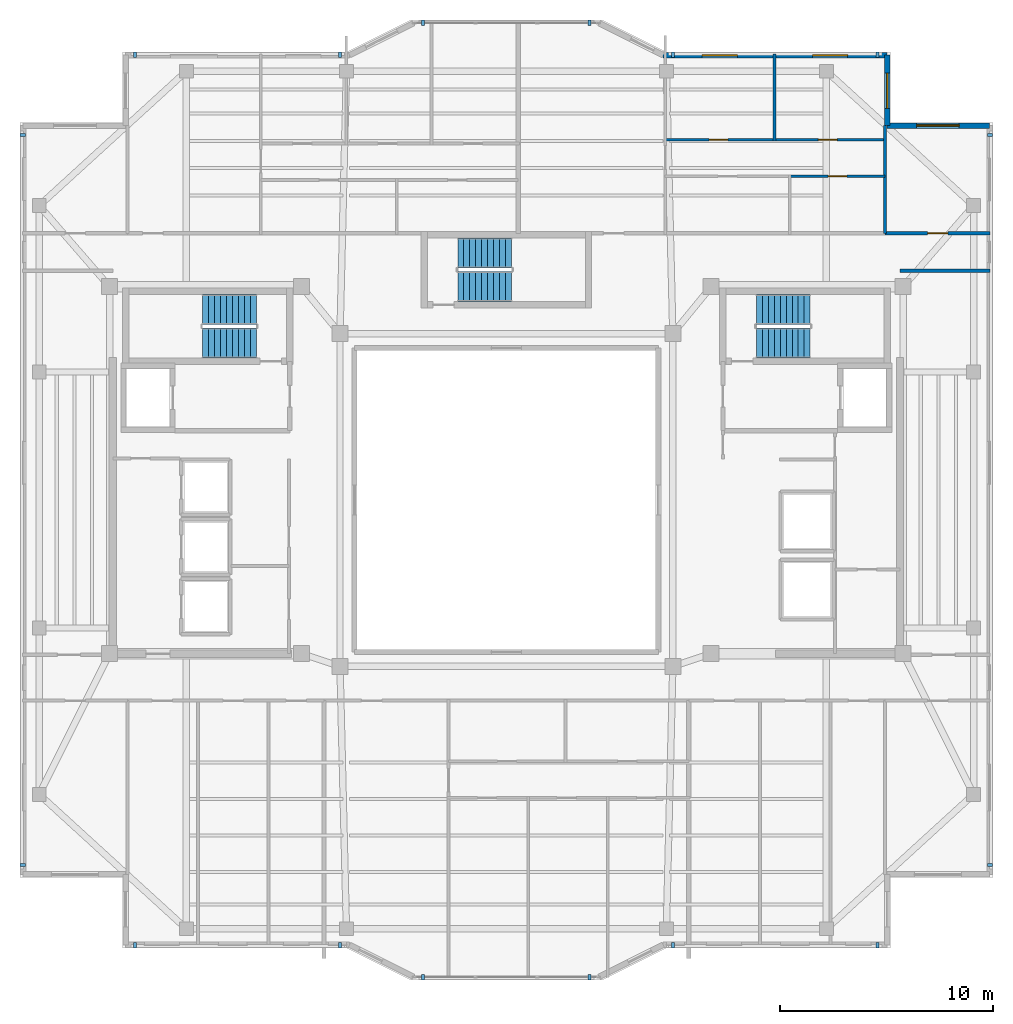
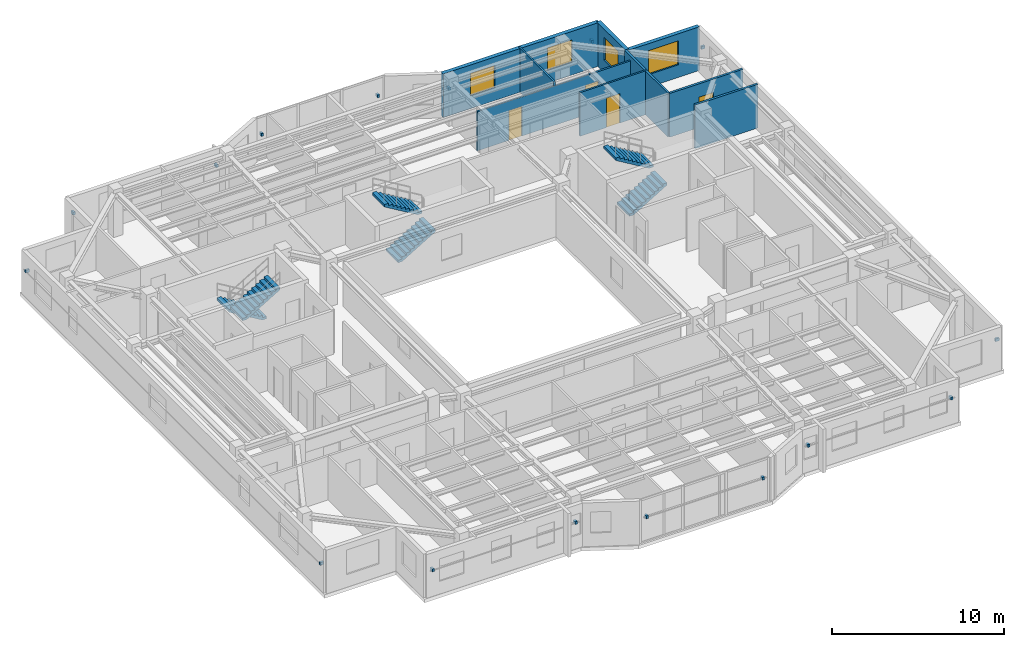
# One storey, part 10 of 13: 16 discrete accessories, 9 walls, 6 stair flights, 4 doors, 4 windows, 8 openings, 3 elements without a shape of their own.
"""IFC4 building model written with IfcOpenShell, lengths in metres."""

from ifc_helpers import new_model, si_unit, direction, frame, frame_2d, origin, origin_2d, place, context, subcontext, project, spatial, polyline, rectangle, outline, extrude, material, layer, layer_set, type_object, element, fill, aggregate, save


model = new_model("IFC4")

# Units and contexts
model_context = context("Model", 3, precision=1e-05, world=origin(), true_north=direction((0.0, 1.0)))
body_context = subcontext(model_context, "Body", "Model", "MODEL_VIEW")
ifc_project = project(units=[si_unit("LENGTHUNIT", "METRE"), si_unit("AREAUNIT", "SQUARE_METRE"), si_unit("VOLUMEUNIT", "CUBIC_METRE"), si_unit("PLANEANGLEUNIT", "RADIAN"), si_unit("MASSUNIT", "GRAM", prefix="KILO")], contexts=[model_context])

# Site, building, storey
site_placement = place(None, origin())
site = spatial("IfcSite", under=ifc_project, at=site_placement, CompositionType="ELEMENT")
building_placement = place(site_placement, origin())
building = spatial("IfcBuilding", under=site, at=building_placement, Name="Tarnavaz Court Tower", CompositionType="ELEMENT")
storey_placement = place(building_placement, frame((0.0, 0.0, 251.550048828125)))
storey = spatial("IfcBuildingStorey", under=building, at=storey_placement, Name="L68", CompositionType="ELEMENT", Elevation=251.550048828125)

# Wall, openings, windows
ifc_material_1 = material(Name="Precast Concrete C40/50", Category="concrete")
ifc_layer_1 = layer(ifc_material_1, 0.260009765625)
ifc_layer_set_1 = layer_set([ifc_layer_1], Name="Precast Concrete C40/50")
wall_type_1 = type_object("IfcWallType", Name="WL-EXT-260", PredefinedType="SOLIDWALL", material=ifc_layer_set_1)
wall_1_placement = place(storey_placement, frame((7.35009765625, 20.85009765625, 0.0), z_axis=(0.0, 0.0, 1.0), x_axis=(1.0, 0.0, 0.0)))
wall_1 = element("IfcWall", 1, at=wall_1_placement, inside=storey, type_object=wall_type_1, Name="L68 Exterior Terracotta Facade Wall 09", PredefinedType="SOLIDWALL", context=body_context, shape_type="SweptSolid", body=[
    extrude(rectangle(XDim=10.5, YDim=0.260009765625, at=frame_2d((5.25, 0.0))), origin(), (0.0, 0.0, 1.0), 3.099853515625),
])
opening_1_placement = place(wall_1_placement, frame((1.824951171875, 0.0, 0.89990234375)))
opening_1 = element("IfcOpeningElement", 2, at=opening_1_placement, cuts=wall_1, Name="Opening W02", PredefinedType="OPENING", context=body_context, shape_type="SweptSolid", body=[
    extrude(rectangle(XDim=1.64990234375, YDim=1.60009765625, at=frame_2d((0.824951171875, 0.800048828125))), frame((0.0, 0.139892578125, 0.0), z_axis=(0.0, -1.0, 0.0), x_axis=(1.0, 0.0, 0.0)), (0.0, 0.0, 1.0), 0.280029296875),
])
opening_2_placement = place(wall_1_placement, frame((7.0, 0.0, 0.89990234375)))
opening_2 = element("IfcOpeningElement", 3, at=opening_2_placement, cuts=wall_1, Name="Opening W02", PredefinedType="OPENING", context=body_context, shape_type="SweptSolid", body=[
    extrude(rectangle(XDim=1.64990234375, YDim=1.60009765625, at=frame_2d((0.824951171875, 0.800048828125))), frame((0.0, 0.139892578125, 0.0), z_axis=(0.0, -1.0, 0.0), x_axis=(1.0, 0.0, 0.0)), (0.0, 0.0, 1.0), 0.280029296875),
])
ifc_material_2 = material(Name="Double-Glazed Solar Low-E Glass", Category="glass")
window_type_1 = type_object("IfcWindowType", Name="WN-APT-1650", PartitioningType="DOUBLE_PANEL_VERTICAL", PredefinedType="WINDOW", material=ifc_material_2)
window_1_placement = place(opening_1_placement, origin())
window_1 = element("IfcWindow", 4, at=window_1_placement, inside=storey, type_object=window_type_1, Name="L68 Flat 02 Principal Bedroom Window", OverallHeight=1.60009765625, OverallWidth=1.64990234375, PartitioningType="SINGLE_PANEL", PredefinedType="WINDOW", context=body_context, shape_type="SweptSolid", body=[
    extrude(rectangle(XDim=1.64990234375, YDim=1.60009765625, at=frame_2d((0.824951171875, 0.800048828125))), frame((0.0, 0.030029296875, 0.0), z_axis=(0.0, -1.0, 0.0), x_axis=(1.0, 0.0, 0.0)), (0.0, 0.0, 1.0), 0.06005859375),
])
fill(opening_1, window_1)
window_2_placement = place(opening_2_placement, origin())
window_2 = element("IfcWindow", 5, at=window_2_placement, inside=storey, type_object=window_type_1, Name="L68 Flat 02 Bedroom 2 Window", OverallHeight=1.60009765625, OverallWidth=1.64990234375, PartitioningType="SINGLE_PANEL", PredefinedType="WINDOW", context=body_context, shape_type="SweptSolid", body=[
    extrude(rectangle(XDim=1.64990234375, YDim=1.60009765625, at=frame_2d((0.824951171875, 0.800048828125))), frame((0.0, 0.030029296875, 0.0), z_axis=(0.0, -1.0, 0.0), x_axis=(1.0, 0.0, 0.0)), (0.0, 0.0, 1.0), 0.06005859375),
])
fill(opening_2, window_2)

# Wall, opening, window
wall_2_placement = place(storey_placement, frame((17.85009765625, 20.85009765625, 0.0), z_axis=(0.0, 0.0, 1.0), x_axis=(0.0, -1.0, 0.0)))
wall_2 = element("IfcWall", 6, at=wall_2_placement, inside=storey, type_object=wall_type_1, Name="L68 Exterior Terracotta Facade Wall 10", PredefinedType="SOLIDWALL", context=body_context, shape_type="SweptSolid", body=[
    extrude(rectangle(XDim=3.300048828125, YDim=0.260009765625, at=frame_2d((1.64990234375, 0.0))), origin(), (0.0, 0.0, 1.0), 3.099853515625),
])
opening_3_placement = place(wall_2_placement, frame((0.842529296875, 0.0, 0.89990234375)))
opening_3 = element("IfcOpeningElement", 7, at=opening_3_placement, cuts=wall_2, Name="Opening W02", PredefinedType="OPENING", context=body_context, shape_type="SweptSolid", body=[
    extrude(rectangle(XDim=1.64990234375, YDim=1.60009765625, at=frame_2d((0.824951171875, 0.800048828125))), frame((0.0, 0.139892578125, 0.0), z_axis=(0.0, -1.0, 0.0), x_axis=(1.0, 0.0, 0.0)), (0.0, 0.0, 1.0), 0.280029296875),
])
window_3_placement = place(opening_3_placement, origin())
window_3 = element("IfcWindow", 8, at=window_3_placement, inside=storey, type_object=window_type_1, Name="L68 Flat 02 Bedroom 2 Window", OverallHeight=1.60009765625, OverallWidth=1.64990234375, PartitioningType="SINGLE_PANEL", PredefinedType="WINDOW", context=body_context, shape_type="SweptSolid", body=[
    extrude(rectangle(XDim=1.64990234375, YDim=1.60009765625, at=frame_2d((0.824951171875, 0.800048828125))), frame((0.0, 0.030029296875, 0.0), z_axis=(0.0, -1.0, 0.0), x_axis=(1.0, 0.0, 0.0)), (0.0, 0.0, 1.0), 0.06005859375),
])
fill(opening_3, window_3)

wall_3_placement = place(storey_placement, frame((17.85009765625, 17.550048828125, 0.0), z_axis=(0.0, 0.0, 1.0), x_axis=(1.0, 0.0, 0.0)))
wall_3 = element("IfcWall", 9, at=wall_3_placement, inside=storey, type_object=wall_type_1, Name="L68 Exterior Terracotta Facade Wall 11", PredefinedType="SOLIDWALL", context=body_context, shape_type="SweptSolid", body=[
    extrude(rectangle(XDim=4.7998046875, YDim=0.260009765625, at=frame_2d((2.39990234375, 0.0))), origin(), (0.0, 0.0, 1.0), 3.099853515625),
])
opening_4_placement = place(wall_3_placement, frame((1.374755859375, 0.0, 0.89990234375)))
opening_4 = element("IfcOpeningElement", 10, at=opening_4_placement, cuts=wall_3, Name="Opening W08", PredefinedType="OPENING", context=body_context, shape_type="SweptSolid", body=[
    extrude(rectangle(XDim=2.0, YDim=1.699951171875, at=frame_2d((1.0, 0.85009765625))), frame((0.0, 0.139892578125, 0.0), z_axis=(0.0, -1.0, 0.0), x_axis=(1.0, 0.0, 0.0)), (0.0, 0.0, 1.0), 0.280029296875),
])
window_type_2 = type_object("IfcWindowType", Name="WN-APT-2000", PartitioningType="DOUBLE_PANEL_VERTICAL", PredefinedType="WINDOW", material=ifc_material_2)
window_4_placement = place(opening_4_placement, origin())
window_4 = element("IfcWindow", 11, at=window_4_placement, inside=storey, type_object=window_type_2, Name="L68 North-East Corner Sunroom Study Window", OverallHeight=1.699951171875, OverallWidth=2.0, PartitioningType="SINGLE_PANEL", PredefinedType="WINDOW", context=body_context, shape_type="SweptSolid", body=[
    extrude(rectangle(XDim=2.0, YDim=1.699951171875, at=frame_2d((1.0, 0.85009765625))), frame((0.0, 0.030029296875, 0.0), z_axis=(0.0, -1.0, 0.0), x_axis=(1.0, 0.0, 0.0)), (0.0, 0.0, 1.0), 0.06005859375),
])
fill(opening_4, window_4)

# Wall
ifc_material_3 = material(Name="Gypsum Fire-Board on Acoustic Metal Stud", Category="masonry")
ifc_layer_2 = layer(ifc_material_3, 0.14990234375)
ifc_layer_set_2 = layer_set([ifc_layer_2], Name="Gypsum Fire-Board on Acoustic Metal Stud")
wall_type_2 = type_object("IfcWallType", Name="WL-FIRE-150", PredefinedType="PARTITIONING", material=ifc_layer_set_2)
wall_4_placement = place(storey_placement, frame((18.449951171875, 10.75, 0.0), z_axis=(0.0, 0.0, 1.0), x_axis=(1.0, 0.0, 0.0)))
element("IfcWall", 12, at=wall_4_placement, inside=storey, type_object=wall_type_2, Name="L68 Interior Partition 091", PredefinedType="PARTITIONING", context=body_context, shape_type="SweptSolid", body=[
    extrude(rectangle(XDim=4.22998046875, YDim=0.14990234375, at=frame_2d((2.114990234375, 0.0))), origin(), (0.0, 0.0, 1.0), 3.099853515625),
])

# Wall, opening, door
wall_5_placement = place(storey_placement, frame((17.75, 12.5, 0.0), z_axis=(0.0, 0.0, 1.0), x_axis=(1.0, 0.0, 0.0)))
wall_5 = element("IfcWall", 13, at=wall_5_placement, inside=storey, type_object=wall_type_2, Name="L68 Interior Partition 097", PredefinedType="PARTITIONING", context=body_context, shape_type="SweptSolid", body=[
    extrude(rectangle(XDim=4.929931640625, YDim=0.14990234375, at=frame_2d((2.46484375, 0.0))), origin(), (0.0, 0.0, 1.0), 3.099853515625),
])
opening_5_placement = place(wall_5_placement, frame((1.989990234375, 0.0, 0.0)))
opening_5 = element("IfcOpeningElement", 14, at=opening_5_placement, cuts=wall_5, Name="Opening D13", PredefinedType="OPENING", context=body_context, shape_type="SweptSolid", body=[
    extrude(rectangle(XDim=0.949951171875, YDim=2.14990234375, at=frame_2d((0.47509765625, 1.074951171875))), frame((0.0, 0.0849609375, 0.0), z_axis=(0.0, -1.0, 0.0), x_axis=(1.0, 0.0, 0.0)), (0.0, 0.0, 1.0), 0.169921875),
])
ifc_material_4 = material(Name="Engineered Oak Timber", Category="wood")
door_type_1 = type_object("IfcDoorType", Name="DR-INT-950", OperationType="NOTDEFINED", PredefinedType="DOOR", material=ifc_material_4)
door_1_placement = place(opening_5_placement, origin())
door_1 = element("IfcDoor", 15, at=door_1_placement, inside=storey, type_object=door_type_1, Name="L68 NE Sunroom Door", OperationType="SINGLE_SWING_LEFT", OverallHeight=2.14990234375, OverallWidth=0.949951171875, PredefinedType="DOOR", context=body_context, shape_type="SweptSolid", body=[
    extrude(rectangle(XDim=0.949951171875, YDim=2.14990234375, at=frame_2d((0.47509765625, 1.074951171875))), frame((0.0, 0.02490234375, 0.0), z_axis=(0.0, -1.0, 0.0), x_axis=(1.0, 0.0, 0.0)), (0.0, 0.0, 1.0), 0.050048828125),
])
fill(opening_5, door_1)

ifc_material_5 = material(Name="Moisture-Resistant Gypsum Board Partition", Category="masonry")
ifc_layer_3 = layer(ifc_material_5, 0.1201171875)
ifc_layer_set_3 = layer_set([ifc_layer_3], Name="Moisture-Resistant Gypsum Board Partition")
wall_type_3 = type_object("IfcWallType", Name="WL-PART-120", PredefinedType="PARTITIONING", material=ifc_layer_set_3)
wall_6_placement = place(storey_placement, frame((13.282958984375, 15.169921875, 0.0), z_axis=(0.0, 0.0, 1.0), x_axis=(1.0, 0.0, 0.0)))
wall_6 = element("IfcWall", 16, at=wall_6_placement, inside=storey, type_object=wall_type_3, Name="L68 Interior Partition 070", PredefinedType="PARTITIONING", context=body_context, shape_type="SweptSolid", body=[
    extrude(rectangle(XDim=4.467041015625, YDim=0.1201171875, at=frame_2d((2.2333984375, 0.0))), origin(), (0.0, 0.0, 1.0), 3.099853515625),
])
opening_6_placement = place(wall_6_placement, frame((1.7939453125, 0.0, 0.0)))
opening_6 = element("IfcOpeningElement", 17, at=opening_6_placement, cuts=wall_6, Name="Opening D14", PredefinedType="OPENING", context=body_context, shape_type="SweptSolid", body=[
    extrude(rectangle(XDim=0.8798828125, YDim=2.10009765625, at=frame_2d((0.43994140625, 1.050048828125))), frame((0.0, 0.070068359375, 0.0), z_axis=(0.0, -1.0, 0.0), x_axis=(1.0, 0.0, 0.0)), (0.0, 0.0, 1.0), 0.14013671875),
])
door_type_2 = type_object("IfcDoorType", Name="DR-INT-900", OperationType="NOTDEFINED", PredefinedType="DOOR", material=ifc_material_4)
door_2_placement = place(opening_6_placement, origin())
door_2 = element("IfcDoor", 18, at=door_2_placement, inside=storey, type_object=door_type_2, Name="L68 Flat 02 Bathroom Door", OperationType="SINGLE_SWING_RIGHT", OverallHeight=2.10009765625, OverallWidth=0.8798828125, PredefinedType="DOOR", context=body_context, shape_type="SweptSolid", body=[
    extrude(rectangle(XDim=0.8798828125, YDim=2.10009765625, at=frame_2d((0.43994140625, 1.050048828125))), frame((0.0, 0.02490234375, 0.0), z_axis=(0.0, -1.0, 0.0), x_axis=(1.0, 0.0, 0.0)), (0.0, 0.0, 1.0), 0.050048828125),
])
fill(opening_6, door_2)

# Wall, openings, doors
wall_7_placement = place(storey_placement, frame((7.382080078125, 16.8798828125, 0.0), z_axis=(0.0, 0.0, 1.0), x_axis=(1.0, 0.0, 0.0)))
wall_7 = element("IfcWall", 19, at=wall_7_placement, inside=storey, type_object=wall_type_3, Name="L68 Interior Partition 071", PredefinedType="PARTITIONING", context=body_context, shape_type="SweptSolid", body=[
    extrude(rectangle(XDim=10.427978515625, YDim=0.1201171875, at=frame_2d((5.2138671875, 0.0))), origin(), (0.0, 0.0, 1.0), 2.784912109375),
])
opening_7_placement = place(wall_7_placement, frame((2.1220703125, 0.0, 0.0)))
opening_7 = element("IfcOpeningElement", 20, at=opening_7_placement, cuts=wall_7, Name="Opening D14", PredefinedType="OPENING", context=body_context, shape_type="SweptSolid", body=[
    extrude(rectangle(XDim=0.8798828125, YDim=2.10009765625, at=frame_2d((0.43994140625, 1.050048828125))), frame((0.0, 0.070068359375, 0.0), z_axis=(0.0, -1.0, 0.0), x_axis=(1.0, 0.0, 0.0)), (0.0, 0.0, 1.0), 0.14013671875),
])
opening_8_placement = place(wall_7_placement, frame((7.24609375, 0.0, 0.0)))
opening_8 = element("IfcOpeningElement", 21, at=opening_8_placement, cuts=wall_7, Name="Opening D14", PredefinedType="OPENING", context=body_context, shape_type="SweptSolid", body=[
    extrude(rectangle(XDim=0.8798828125, YDim=2.10009765625, at=frame_2d((0.43994140625, 1.050048828125))), frame((0.0, 0.070068359375, 0.0), z_axis=(0.0, -1.0, 0.0), x_axis=(1.0, 0.0, 0.0)), (0.0, 0.0, 1.0), 0.14013671875),
])
door_3_placement = place(opening_7_placement, origin())
door_3 = element("IfcDoor", 22, at=door_3_placement, inside=storey, type_object=door_type_2, Name="L68 Flat 02 Bedroom 1 Door", OperationType="SINGLE_SWING_LEFT", OverallHeight=2.10009765625, OverallWidth=0.8798828125, PredefinedType="DOOR", context=body_context, shape_type="SweptSolid", body=[
    extrude(rectangle(XDim=0.8798828125, YDim=2.10009765625, at=frame_2d((0.43994140625, 1.050048828125))), frame((0.0, 0.02490234375, 0.0), z_axis=(0.0, -1.0, 0.0), x_axis=(1.0, 0.0, 0.0)), (0.0, 0.0, 1.0), 0.050048828125),
])
fill(opening_7, door_3)
door_4_placement = place(opening_8_placement, origin())
door_4 = element("IfcDoor", 23, at=door_4_placement, inside=storey, type_object=door_type_2, Name="L68 Flat 02 Bedroom 2 Door", OperationType="SINGLE_SWING_RIGHT", OverallHeight=2.10009765625, OverallWidth=0.8798828125, PredefinedType="DOOR", context=body_context, shape_type="SweptSolid", body=[
    extrude(rectangle(XDim=0.8798828125, YDim=2.10009765625, at=frame_2d((0.43994140625, 1.050048828125))), frame((0.0, 0.02490234375, 0.0), z_axis=(0.0, -1.0, 0.0), x_axis=(1.0, 0.0, 0.0)), (0.0, 0.0, 1.0), 0.050048828125),
])
fill(opening_8, door_4)

# Walls
wall_8_placement = place(storey_placement, frame((12.56591796875, 16.820068359375, 0.0), z_axis=(0.0, 0.0, 1.0), x_axis=(0.0, 1.0, 0.0)))
element("IfcWall", 24, at=wall_8_placement, inside=storey, type_object=wall_type_3, Name="L68 Interior Partition 073", PredefinedType="PARTITIONING", context=body_context, shape_type="SweptSolid", body=[
    extrude(rectangle(XDim=4.079833984375, YDim=0.1201171875, at=frame_2d((2.0400390625, 0.0))), origin(), (0.0, 0.0, 1.0), 3.099853515625),
])
ifc_material_6 = material(Name="Gypsum Plasterboard Acoustic Partition", Category="masonry")
ifc_layer_4 = layer(ifc_material_6, 0.139892578125)
ifc_layer_set_4 = layer_set([ifc_layer_4], Name="Gypsum Plasterboard Acoustic Partition")
wall_type_4 = type_object("IfcWallType", Name="WL-PART-150", PredefinedType="PARTITIONING", material=ifc_layer_set_4)
wall_9_placement = place(storey_placement, frame((17.75, 12.5, 0.0), z_axis=(0.0, 0.0, 1.0), x_axis=(0.0, 1.0, 0.0)))
element("IfcWall", 25, at=wall_9_placement, inside=storey, type_object=wall_type_4, Name="L68 Interior Partition 095", PredefinedType="PARTITIONING", context=body_context, shape_type="SweptSolid", body=[
    extrude(rectangle(XDim=5.050048828125, YDim=0.139892578125, at=frame_2d((2.52490234375, 0.0))), origin(), (0.0, 0.0, 1.0), 3.099853515625),
])

# Stair, stair flights
ifc_material_7 = material(Name="Concrete C40/50", Category="concrete")
stair_type = type_object("IfcStairType", Name="ST-TWR-20R", PredefinedType="HALF_TURN_STAIR", material=ifc_material_7)
stair_1_placement = place(storey_placement, origin())
stair_1 = element("IfcStair", 26, at=stair_1_placement, inside=storey, type_object=stair_type, Name="L68 West Core Pressurized Exit Stair ST-W1", PredefinedType="HALF_TURN_STAIR")
stair_flight_type = type_object("IfcStairFlightType", Name="SFL-RC-20R", PredefinedType="STRAIGHT", material=ifc_material_7)
stair_flight_1_placement = place(storey_placement, frame((-11.719970703125, 8.929931640625, 0.0), z_axis=(0.0, 0.0, 1.0), x_axis=(-1.0, 0.0, 0.0)))
stair_flight_1 = element("IfcStairFlight", 27, at=stair_flight_1_placement, type_object=stair_flight_type, Name="ST-W1 flight 1", NumberOfRisers=10, NumberOfTreads=9, PredefinedType="STRAIGHT", RiserHeight=0.1675, TreadLength=0.28, context=body_context, shape_type="SweptSolid", body=[
    extrude(outline(polyline([(0.0, 0.0), (0.0, 0.16748046875), (0.280029296875, 0.16748046875), (0.280029296875, 0.3349609375), (0.56005859375, 0.3349609375), (0.56005859375, 0.50244140625), (0.840087890625, 0.50244140625), (0.840087890625, 0.669921875), (1.1201171875, 0.669921875), (1.1201171875, 0.83740234375), (1.39990234375, 0.83740234375), (1.39990234375, 1.0048828125), (1.679931640625, 1.0048828125), (1.679931640625, 1.172607421875), (1.9599609375, 1.172607421875), (1.9599609375, 1.340087890625), (2.239990234375, 1.340087890625), (2.239990234375, 1.507568359375), (2.52001953125, 1.507568359375), (2.52001953125, 1.675048828125), (2.52001953125, 1.332763671875), (0.2919921875, 0.0), (0.0, 0.0)])), frame((0.0, 0.7099609375, 0.0), z_axis=(0.0, -1.0, 0.0), x_axis=(1.0, 0.0, 0.0)), (0.0, 0.0, 1.0), 1.419921875),
])
stair_flight_2_placement = place(storey_placement, frame((-14.239990234375, 7.360107421875, 1.675048828125), z_axis=(0.0, 0.0, 1.0), x_axis=(1.0, 0.0, 0.0)))
stair_flight_2 = element("IfcStairFlight", 28, at=stair_flight_2_placement, type_object=stair_flight_type, Name="ST-W1 flight 2", NumberOfRisers=10, NumberOfTreads=9, PredefinedType="STRAIGHT", RiserHeight=0.1675, TreadLength=0.28, context=body_context, shape_type="SweptSolid", body=[
    extrude(outline(polyline([(0.0, 0.0), (0.0, 0.16748046875), (0.280029296875, 0.16748046875), (0.280029296875, 0.3349609375), (0.56005859375, 0.3349609375), (0.56005859375, 0.50244140625), (0.840087890625, 0.50244140625), (0.840087890625, 0.669921875), (1.1201171875, 0.669921875), (1.1201171875, 0.83740234375), (1.39990234375, 0.83740234375), (1.39990234375, 1.0048828125), (1.679931640625, 1.0048828125), (1.679931640625, 1.172607421875), (1.9599609375, 1.172607421875), (1.9599609375, 1.340087890625), (2.239990234375, 1.340087890625), (2.239990234375, 1.507568359375), (2.52001953125, 1.507568359375), (2.52001953125, 1.675048828125), (2.52001953125, 1.332763671875), (0.2919921875, 0.0), (0.0, 0.0)])), frame((0.0, 0.7099609375, 0.0), z_axis=(0.0, -1.0, 0.0), x_axis=(1.0, 0.0, 0.0)), (0.0, 0.0, 1.0), 1.419921875),
])
aggregate(stair_1, [stair_flight_1, stair_flight_2])

stair_2_placement = place(storey_placement, origin())
stair_2 = element("IfcStair", 29, at=stair_2_placement, inside=storey, type_object=stair_type, Name="L68 East Core Pressurized Exit Stair ST-E1", PredefinedType="HALF_TURN_STAIR")
stair_flight_3_placement = place(storey_placement, frame((11.719970703125, 7.360107421875, 0.0), z_axis=(0.0, 0.0, 1.0), x_axis=(1.0, 0.0, 0.0)))
stair_flight_3 = element("IfcStairFlight", 30, at=stair_flight_3_placement, type_object=stair_flight_type, Name="ST-E1 flight 1", NumberOfRisers=10, NumberOfTreads=9, PredefinedType="STRAIGHT", RiserHeight=0.1675, TreadLength=0.28, context=body_context, shape_type="SweptSolid", body=[
    extrude(outline(polyline([(0.0, 0.0), (0.0, 0.16748046875), (0.280029296875, 0.16748046875), (0.280029296875, 0.3349609375), (0.56005859375, 0.3349609375), (0.56005859375, 0.50244140625), (0.840087890625, 0.50244140625), (0.840087890625, 0.669921875), (1.1201171875, 0.669921875), (1.1201171875, 0.83740234375), (1.39990234375, 0.83740234375), (1.39990234375, 1.0048828125), (1.679931640625, 1.0048828125), (1.679931640625, 1.172607421875), (1.9599609375, 1.172607421875), (1.9599609375, 1.340087890625), (2.239990234375, 1.340087890625), (2.239990234375, 1.507568359375), (2.52001953125, 1.507568359375), (2.52001953125, 1.675048828125), (2.52001953125, 1.332763671875), (0.2919921875, 0.0), (0.0, 0.0)])), frame((0.0, 0.7099609375, 0.0), z_axis=(0.0, -1.0, 0.0), x_axis=(1.0, 0.0, 0.0)), (0.0, 0.0, 1.0), 1.419921875),
])
stair_flight_4_placement = place(storey_placement, frame((14.239990234375, 8.929931640625, 1.675048828125), z_axis=(0.0, 0.0, 1.0), x_axis=(-1.0, 0.0, 0.0)))
stair_flight_4 = element("IfcStairFlight", 31, at=stair_flight_4_placement, type_object=stair_flight_type, Name="ST-E1 flight 2", NumberOfRisers=10, NumberOfTreads=9, PredefinedType="STRAIGHT", RiserHeight=0.1675, TreadLength=0.28, context=body_context, shape_type="SweptSolid", body=[
    extrude(outline(polyline([(0.0, 0.0), (0.0, 0.16748046875), (0.280029296875, 0.16748046875), (0.280029296875, 0.3349609375), (0.56005859375, 0.3349609375), (0.56005859375, 0.50244140625), (0.840087890625, 0.50244140625), (0.840087890625, 0.669921875), (1.1201171875, 0.669921875), (1.1201171875, 0.83740234375), (1.39990234375, 0.83740234375), (1.39990234375, 1.0048828125), (1.679931640625, 1.0048828125), (1.679931640625, 1.172607421875), (1.9599609375, 1.172607421875), (1.9599609375, 1.340087890625), (2.239990234375, 1.340087890625), (2.239990234375, 1.507568359375), (2.52001953125, 1.507568359375), (2.52001953125, 1.675048828125), (2.52001953125, 1.332763671875), (0.2919921875, 0.0), (0.0, 0.0)])), frame((0.0, 0.7099609375, 0.0), z_axis=(0.0, -1.0, 0.0), x_axis=(1.0, 0.0, 0.0)), (0.0, 0.0, 1.0), 1.419921875),
])
aggregate(stair_2, [stair_flight_3, stair_flight_4])

stair_3_placement = place(storey_placement, origin())
stair_3 = element("IfcStair", 32, at=stair_3_placement, inside=storey, type_object=stair_type, Name="L68 North Ring Pressurized Exit Stair ST-N1", PredefinedType="HALF_TURN_STAIR")
stair_flight_5_placement = place(storey_placement, frame((-2.280029296875, 10.010009765625, 0.0), z_axis=(0.0, 0.0, 1.0), x_axis=(1.0, 0.0, 0.0)))
stair_flight_5 = element("IfcStairFlight", 33, at=stair_flight_5_placement, type_object=stair_flight_type, Name="ST-N1 flight 1", NumberOfRisers=10, NumberOfTreads=9, PredefinedType="STRAIGHT", RiserHeight=0.1675, TreadLength=0.28, context=body_context, shape_type="SweptSolid", body=[
    extrude(outline(polyline([(0.0, 0.0), (0.0, 0.16748046875), (0.280029296875, 0.16748046875), (0.280029296875, 0.3349609375), (0.56005859375, 0.3349609375), (0.56005859375, 0.50244140625), (0.840087890625, 0.50244140625), (0.840087890625, 0.669921875), (1.1201171875, 0.669921875), (1.1201171875, 0.83740234375), (1.39990234375, 0.83740234375), (1.39990234375, 1.0048828125), (1.679931640625, 1.0048828125), (1.679931640625, 1.172607421875), (1.9599609375, 1.172607421875), (1.9599609375, 1.340087890625), (2.239990234375, 1.340087890625), (2.239990234375, 1.507568359375), (2.52001953125, 1.507568359375), (2.52001953125, 1.675048828125), (2.52001953125, 1.332763671875), (0.2919921875, 0.0), (0.0, 0.0)])), frame((0.0, 0.7099609375, 0.0), z_axis=(0.0, -1.0, 0.0), x_axis=(1.0, 0.0, 0.0)), (0.0, 0.0, 1.0), 1.419921875),
])
stair_flight_6_placement = place(storey_placement, frame((0.239990234375, 11.580078125, 1.675048828125), z_axis=(0.0, 0.0, 1.0), x_axis=(-1.0, 0.0, 0.0)))
stair_flight_6 = element("IfcStairFlight", 34, at=stair_flight_6_placement, type_object=stair_flight_type, Name="ST-N1 flight 2", NumberOfRisers=10, NumberOfTreads=9, PredefinedType="STRAIGHT", RiserHeight=0.1675, TreadLength=0.28, context=body_context, shape_type="SweptSolid", body=[
    extrude(outline(polyline([(0.0, 0.0), (0.0, 0.16748046875), (0.280029296875, 0.16748046875), (0.280029296875, 0.3349609375), (0.56005859375, 0.3349609375), (0.56005859375, 0.50244140625), (0.840087890625, 0.50244140625), (0.840087890625, 0.669921875), (1.1201171875, 0.669921875), (1.1201171875, 0.83740234375), (1.39990234375, 0.83740234375), (1.39990234375, 1.0048828125), (1.679931640625, 1.0048828125), (1.679931640625, 1.172607421875), (1.9599609375, 1.172607421875), (1.9599609375, 1.340087890625), (2.239990234375, 1.340087890625), (2.239990234375, 1.507568359375), (2.52001953125, 1.507568359375), (2.52001953125, 1.675048828125), (2.52001953125, 1.332763671875), (0.2919921875, 0.0), (0.0, 0.0)])), frame((0.0, 0.7099609375, 0.0), z_axis=(0.0, -1.0, 0.0), x_axis=(1.0, 0.0, 0.0)), (0.0, 0.0, 1.0), 1.419921875),
])
aggregate(stair_3, [stair_flight_5, stair_flight_6])

# Discrete accessories
ifc_material_8 = material(Name="Anodised Aluminium 6063-T6", Category="aluminium")
discrete_accessory_type = type_object("IfcDiscreteAccessoryType", Name="DA-BRKT-ALU", PredefinedType="BRACKET", material=ifc_material_8)
for number, where, z_axis, x_axis, name in (
    (35, (-22.669921875, -17.10009765625, 1.75), (0.0, 0.0, 1.0), (0.0, 1.0, 0.0), "L68 Baguette Outrigger Bracket FBG02-1"),
    (36, (-22.669921875, 17.10009765625, 1.75), (0.0, 0.0, 1.0), (0.0, 1.0, 0.0), "L68 Baguette Outrigger Bracket FBG02-2"),
    (37, (-17.39990234375, 20.8701171875, 1.75), (0.0, 0.0, 1.0), (1.0, 0.0, 0.0), "L68 Baguette Outrigger Bracket FBG05-1"),
    (38, (-7.800048828125, 20.8701171875, 1.75), (0.0, 0.0, 1.0), (1.0, 0.0, 0.0), "L68 Baguette Outrigger Bracket FBG05-2"),
    (39, (-3.89990234375, 22.3701171875, 1.7001953125), (0.0, 0.0, 1.0), (1.0, 0.0, 0.0), "L68 Baguette Outrigger Bracket PBG7-1"),
    (40, (3.89990234375, 22.3701171875, 1.7001953125), (0.0, 0.0, 1.0), (1.0, 0.0, 0.0), "L68 Baguette Outrigger Bracket PBG7-2"),
    (41, (7.800048828125, 20.8701171875, 1.75), (0.0, 0.0, 1.0), (1.0, 0.0, 0.0), "L68 Baguette Outrigger Bracket FBG09-1"),
    (42, (17.39990234375, 20.8701171875, 1.75), (0.0, 0.0, 1.0), (1.0, 0.0, 0.0), "L68 Baguette Outrigger Bracket FBG09-2"),
    (43, (22.669921875, 17.10009765625, 1.75), (0.0, 0.0, 1.0), (0.0, -1.0, 0.0), "L68 Baguette Outrigger Bracket FBG12-1"),
    (44, (22.669921875, -17.10009765625, 1.75), (0.0, 0.0, 1.0), (0.0, -1.0, 0.0), "L68 Baguette Outrigger Bracket FBG12-2"),
    (45, (17.39990234375, -20.8701171875, 1.75), (0.0, 0.0, 1.0), (-1.0, 0.0, 0.0), "L68 Baguette Outrigger Bracket FBG15-1"),
    (46, (7.800048828125, -20.8701171875, 1.75), (0.0, 0.0, 1.0), (-1.0, 0.0, 0.0), "L68 Baguette Outrigger Bracket FBG15-2"),
    (47, (3.89990234375, -22.3701171875, 1.7001953125), (0.0, 0.0, 1.0), (-1.0, 0.0, 0.0), "L68 Baguette Outrigger Bracket PBG17-1"),
    (48, (-3.89990234375, -22.3701171875, 1.7001953125), (0.0, 0.0, 1.0), (-1.0, 0.0, 0.0), "L68 Baguette Outrigger Bracket PBG17-2"),
    (49, (-7.800048828125, -20.8701171875, 1.75), (0.0, 0.0, 1.0), (-1.0, 0.0, 0.0), "L68 Baguette Outrigger Bracket FBG19-1"),
    (50, (-17.39990234375, -20.8701171875, 1.75), (0.0, 0.0, 1.0), (-1.0, 0.0, 0.0), "L68 Baguette Outrigger Bracket FBG19-2"),
):
    element("IfcDiscreteAccessory", number, at=place(storey_placement, frame(where, z_axis=z_axis, x_axis=x_axis)), inside=storey, type_object=discrete_accessory_type, Name=name, PredefinedType="BRACKET", context=body_context, shape_type="SweptSolid", body=[
        extrude(rectangle(XDim=0.139892578125, YDim=0.239990234375, at=origin_2d()), origin(), (0.0, 0.0, 1.0), 0.199951171875),
    ])

save(model, "model.ifc")
